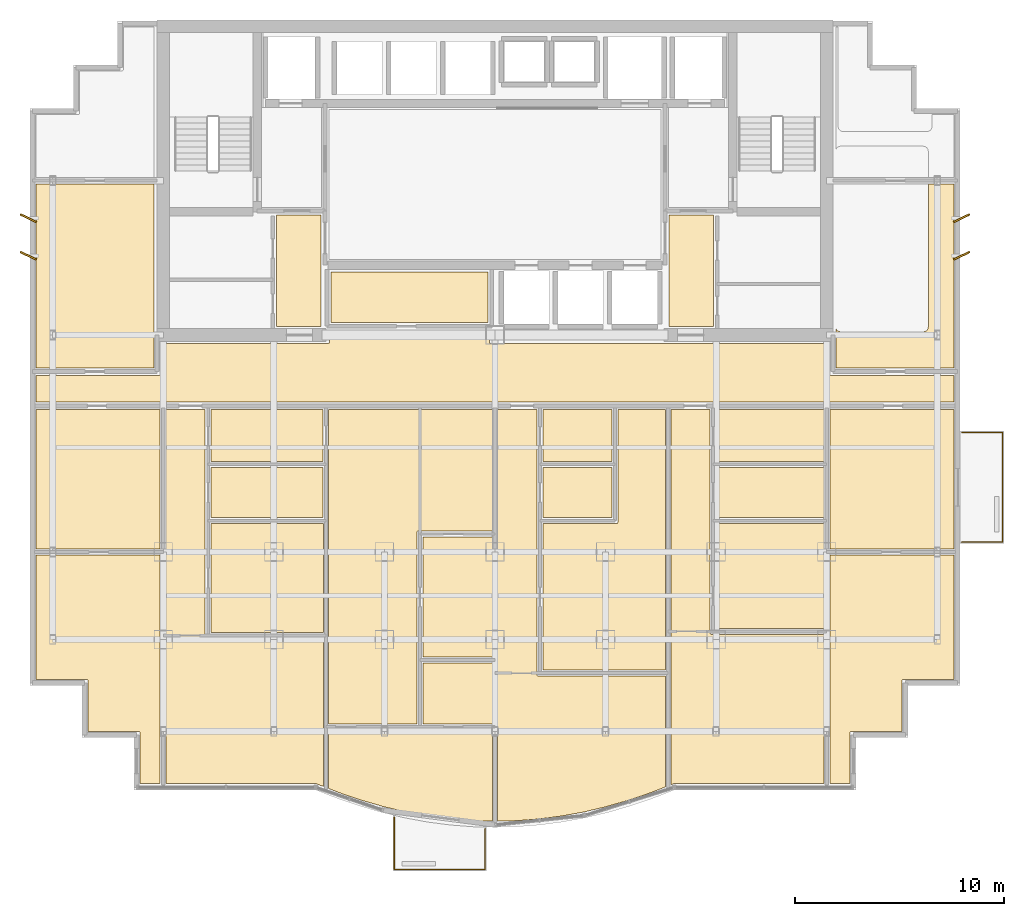
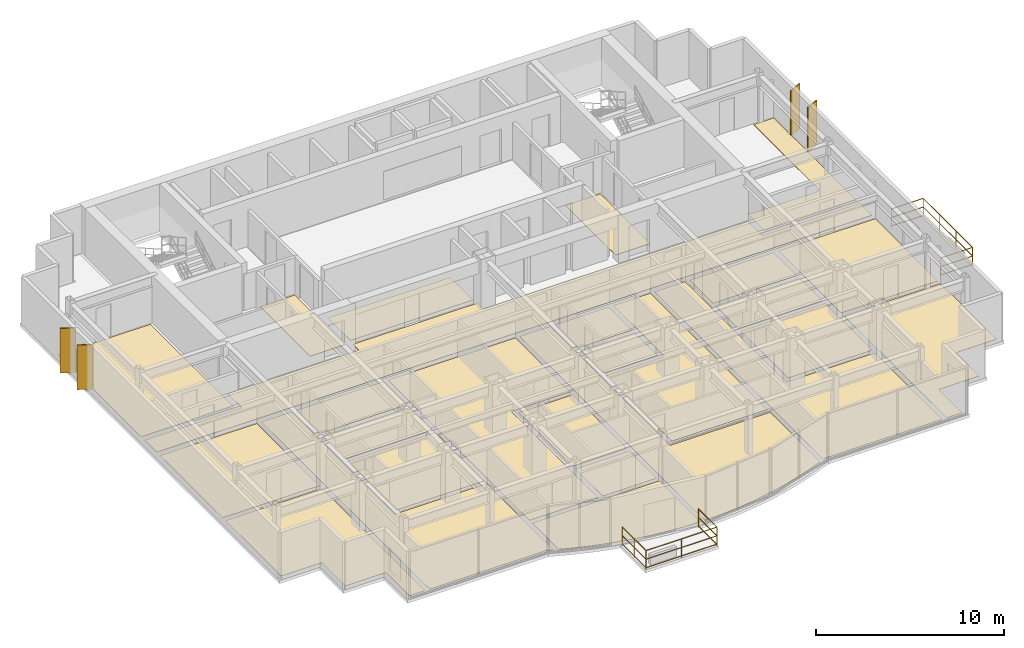
# One storey, part 10 of 11: 26 coverings, 4 shading devices, 2 railings.
"""IFC4 building model written with IfcOpenShell, lengths in metres."""

import ifcopenshell
import ifcopenshell.guid

model = None  # the IFC model being written
_history = None  # IfcOwnerHistory: only IFC2X3 demands one
_inside = {}  # id of a spatial element -> (the spatial element, [elements in it])
_under = {}  # id of a project, library or spatial element -> (it, [spatial elements below it])
_declared = {}  # id of a project -> (the project, [libraries it declares])
_typed = {}  # id of a type object -> (the type object, [elements of that type])
_made_of = {}  # id of a material, layer set ... -> (it, [elements and type objects made of it])


def new_model(schema):
    """Start an empty IFC model of exactly this schema.

    Asked for "IFC4X3", IfcOpenShell would pick the latest addendum, in which some entities
    have other attributes; the version numbers below select the first issue.
    IFC2X3 requires an IfcOwnerHistory on every rooted entity: one is made here for all.
    """
    global model, _history
    if schema == "IFC4X3":
        model = ifcopenshell.file(schema_version=(4, 3, 0, 0))
    else:
        model = ifcopenshell.file(schema=schema)
    _inside.clear()
    _under.clear()
    _declared.clear()
    _typed.clear()
    _made_of.clear()
    _history = None
    if model.schema == "IFC2X3":
        org = make("IfcOrganization", Name="unknown")
        user = make(
            "IfcPersonAndOrganization",
            ThePerson=make("IfcPerson", FamilyName="unknown"),
            TheOrganization=org,
        )
        app = make(
            "IfcApplication",
            ApplicationDeveloper=org,
            Version="unknown",
            ApplicationFullName="unknown",
            ApplicationIdentifier="unknown",
        )
        _history = make(
            "IfcOwnerHistory",
            OwningUser=user,
            OwningApplication=app,
            ChangeAction="ADDED",
            CreationDate=0,
        )
    return model


def make(cls, **values):
    """One entity of the class cls with the attributes given. An attribute that is None is left unset."""
    return model.create_entity(
        cls, **{name: value for name, value in values.items() if value is not None}
    )


def rooted(cls, **values):
    """An entity with a GlobalId (a new one), such as an element, a storey or a relation."""
    return make(cls, GlobalId=ifcopenshell.guid.new(), OwnerHistory=_history, **values)


def si_unit(unit_type, name, prefix=None):
    """IfcSIUnit, for example si_unit("LENGTHUNIT", "METRE", prefix="MILLI")."""
    return make("IfcSIUnit", UnitType=unit_type, Prefix=prefix, Name=name)


def assignment(units):
    """IfcUnitAssignment: the units of a project."""
    return None if units is None else make("IfcUnitAssignment", Units=units)


def point(xyz):
    """IfcCartesianPoint."""
    return None if xyz is None else make("IfcCartesianPoint", Coordinates=xyz)


def direction(xyz):
    """IfcDirection."""
    return None if xyz is None else make("IfcDirection", DirectionRatios=xyz)


def frame(location, z_axis=None, x_axis=None):
    """IfcAxis2Placement3D, a coordinate frame: its origin and axes. An axis left out is left unset."""
    return make(
        "IfcAxis2Placement3D",
        Location=point(location),
        Axis=direction(z_axis),
        RefDirection=direction(x_axis),
    )


def frame_2d(location, x_axis=None):
    """IfcAxis2Placement2D, a coordinate frame in the plane: its origin and x axis."""
    return make(
        "IfcAxis2Placement2D", Location=point(location), RefDirection=direction(x_axis)
    )


def origin():
    """The frame at (0, 0, 0) with its axes left unset."""
    return frame((0.0, 0.0, 0.0))


def origin_2d():
    """The frame at (0, 0) in the plane with its x axis left unset."""
    return frame_2d((0.0, 0.0))


def place(relative_to, where):
    """IfcLocalPlacement: puts the frame where relative to a parent placement (None: the world)."""
    return make(
        "IfcLocalPlacement", PlacementRelTo=relative_to, RelativePlacement=where
    )


def context(
    kind, dimensions, precision=None, world=None, true_north=None, identifier=None
):
    """IfcGeometricRepresentationContext, for example the 3D "Model" context."""
    return make(
        "IfcGeometricRepresentationContext",
        ContextIdentifier=identifier,
        ContextType=kind,
        CoordinateSpaceDimension=dimensions,
        Precision=precision,
        WorldCoordinateSystem=world,
        TrueNorth=true_north,
    )


def subcontext(parent, identifier, kind, view, scale=None):
    """IfcGeometricRepresentationSubContext, for example "Body" below "Model"."""
    return make(
        "IfcGeometricRepresentationSubContext",
        ContextIdentifier=identifier,
        ContextType=kind,
        ParentContext=parent,
        TargetScale=scale,
        TargetView=view,
    )


def project(units=None, contexts=None):
    """IfcProject with its units and contexts."""
    return rooted(
        "IfcProject",
        Name="project",
        RepresentationContexts=contexts,
        UnitsInContext=assignment(units),
    )


def spatial(cls, under=None, at=None, **own):
    """A site, building, storey or space (cls), placed at a placement, below another one or the project."""
    s = rooted(cls, ObjectPlacement=at, **own)
    if under is not None:
        _under.setdefault(under.id(), (under, []))[1].append(s)
    return s


def polyline(points):
    """IfcPolyline through the points."""
    return make("IfcPolyline", Points=[point(p) for p in points])


def profile(cls, at=None, kind="AREA", **sizes):
    """A parametric profile (cls). Its sizes go by their IFC names, for example OverallWidth=200.0."""
    return make(cls, ProfileType=kind, Position=at, **sizes)


def rectangle(**sizes):
    """IfcRectangleProfileDef."""
    return profile("IfcRectangleProfileDef", **sizes)


def circle(**sizes):
    """IfcCircleProfileDef."""
    return profile("IfcCircleProfileDef", **sizes)


def outline(outer, holes=None, kind="AREA"):
    """IfcArbitraryClosedProfileDef: a profile drawn as a closed curve; with holes, ...WithVoids."""
    if holes is None:
        return make("IfcArbitraryClosedProfileDef", ProfileType=kind, OuterCurve=outer)
    return make(
        "IfcArbitraryProfileDefWithVoids",
        ProfileType=kind,
        OuterCurve=outer,
        InnerCurves=holes,
    )


def extrude(swept, where, along, depth):
    """IfcExtrudedAreaSolid: the profile swept, set in the frame where, extruded along a direction by depth."""
    return make(
        "IfcExtrudedAreaSolid",
        SweptArea=swept,
        Position=where,
        ExtrudedDirection=direction(along),
        Depth=depth,
    )


def shape(context_of_items, identifier, shape_type, items):
    """IfcShapeRepresentation: the items that make up one representation, for example the "Body"."""
    return make(
        "IfcShapeRepresentation",
        ContextOfItems=context_of_items,
        RepresentationIdentifier=identifier,
        RepresentationType=shape_type,
        Items=items,
    )


def source(mapping_origin, context_of_items, identifier, shape_type, items):
    """IfcRepresentationMap: a shape defined once, which mapped items show again and again."""
    return make(
        "IfcRepresentationMap",
        MappingOrigin=mapping_origin,
        MappedRepresentation=shape(context_of_items, identifier, shape_type, items),
    )


def transform(
    local_origin,
    x_axis=None,
    y_axis=None,
    z_axis=None,
    scale=None,
    scale2=None,
    scale3=None,
    uniform=True,
):
    """IfcCartesianTransformationOperator3D, or its non-uniform kind. x_axis, y_axis, z_axis: its Axis1, 2, 3."""
    if uniform:
        return make(
            "IfcCartesianTransformationOperator3D",
            Axis1=direction(x_axis),
            Axis2=direction(y_axis),
            LocalOrigin=point(local_origin),
            Scale=scale,
            Axis3=direction(z_axis),
        )
    return make(
        "IfcCartesianTransformationOperator3DnonUniform",
        Axis1=direction(x_axis),
        Axis2=direction(y_axis),
        LocalOrigin=point(local_origin),
        Scale=scale,
        Axis3=direction(z_axis),
        Scale2=scale2,
        Scale3=scale3,
    )


def mapped(mapping_source, mapping_target):
    """IfcMappedItem: shows the shape of a source again, moved by a transform."""
    return make(
        "IfcMappedItem", MappingSource=mapping_source, MappingTarget=mapping_target
    )


def material(Name=None, Category=None):
    """IfcMaterial."""
    return make("IfcMaterial", Name=Name, Category=Category)


def layer(
    of_material, thickness, ventilated=None, Name=None, Category=None, Priority=None
):
    """IfcMaterialLayer: one layer of a wall or slab, of a material (None: an air gap)."""
    return make(
        "IfcMaterialLayer",
        Material=of_material,
        LayerThickness=thickness,
        IsVentilated=ventilated,
        Name=Name,
        Category=Category,
        Priority=Priority,
    )


def layer_set(layers, Name=None):
    """IfcMaterialLayerSet."""
    return make("IfcMaterialLayerSet", MaterialLayers=layers, LayerSetName=Name)


def made_of(thing, what):
    """Note that an element or type object is made of a material, layer set ...; save() writes the relation."""
    if what is not None:
        _made_of.setdefault(what.id(), (what, []))[1].append(thing)
    return thing


def type_object(cls, material=None, **own):
    """A type object (cls), such as IfcWallType, which elements share."""
    return made_of(rooted(cls, **own), material)


def element(
    cls,
    number,
    at=None,
    inside=None,
    cuts=None,
    type_object=None,
    material=None,
    context=None,
    identifier="Body",
    shape_type=None,
    held_by="IfcProductDefinitionShape",
    body=None,
    shapes=None,
    **own,
):
    """One element of the class cls, such as IfcWall. Its Tag is "e" and its number.

    at: its placement. inside: the storey or other place that contains it. cuts: it is an
    opening in that element (IfcRelVoidsElement). A single representation is given by context,
    identifier, shape_type and body (its items); several are given by shapes. held_by: the class
    of the entity that holds the representations. save() writes the other relations.
    """
    e = rooted(cls, Tag="e%d" % number, ObjectPlacement=at, **own)
    if body is not None:
        shapes = [shape(context, identifier, shape_type, body)]
    if shapes is not None:
        e.Representation = make(held_by, Representations=shapes)
    if inside is not None:
        _inside.setdefault(inside.id(), (inside, []))[1].append(e)
    if cuts is not None:
        rooted(
            "IfcRelVoidsElement", RelatingBuildingElement=cuts, RelatedOpeningElement=e
        )
    if type_object is not None:
        _typed.setdefault(type_object.id(), (type_object, []))[1].append(e)
    return made_of(e, material)


def aggregate(whole, parts):
    """IfcRelAggregates: a whole, such as a stair, and the parts it consists of."""
    return rooted("IfcRelAggregates", RelatingObject=whole, RelatedObjects=parts)


def save(model, path):
    """Write the relations noted so far, then the file.

    IfcRelAggregates (storeys below a building ...), IfcRelContainedInSpatialStructure (elements
    in a storey), IfcRelDefinesByType, IfcRelAssociatesMaterial and IfcRelDeclares: one each for
    every whole, place, type object, material and project.
    """
    for whole, parts in _under.values():
        aggregate(whole, parts)
    for where, things in _inside.values():
        rooted(
            "IfcRelContainedInSpatialStructure",
            RelatedElements=things,
            RelatingStructure=where,
        )
    for kind, things in _typed.values():
        rooted("IfcRelDefinesByType", RelatedObjects=things, RelatingType=kind)
    for what, things in _made_of.values():
        rooted("IfcRelAssociatesMaterial", RelatedObjects=things, RelatingMaterial=what)
    for by, libraries in _declared.values():
        rooted("IfcRelDeclares", RelatingContext=by, RelatedDefinitions=libraries)
    model.write(path)


model = new_model("IFC4")

# Units and contexts
model_context = context("Model", 3, precision=1e-05, world=origin(), true_north=direction((0.0, 1.0)))
body_context = subcontext(model_context, "Body", "Model", "MODEL_VIEW")
ifc_project = project(units=[si_unit("LENGTHUNIT", "METRE"), si_unit("AREAUNIT", "SQUARE_METRE"), si_unit("VOLUMEUNIT", "CUBIC_METRE"), si_unit("PLANEANGLEUNIT", "RADIAN"), si_unit("MASSUNIT", "GRAM", prefix="KILO")], contexts=[model_context])

# Site, building, storey
site_placement = place(None, origin())
site = spatial("IfcSite", under=ifc_project, at=site_placement, CompositionType="ELEMENT")
building_placement = place(site_placement, origin())
building = spatial("IfcBuilding", under=site, at=building_placement, Name="Qianlan Lanfeng Residences", CompositionType="ELEMENT")
storey_placement = place(building_placement, frame((0.0, 0.0, 149.10009765625)))
storey = spatial("IfcBuildingStorey", under=building, at=storey_placement, Name="L40", CompositionType="ELEMENT", Elevation=149.10009765625)

# Coverings
ifc_material_1 = material(Name="Honed Taitung Granite Stone Flooring", Category="masonry")
ifc_layer_1 = layer(ifc_material_1, 0.030029296875)
ifc_layer_set_1 = layer_set([ifc_layer_1], Name="Honed Taitung Granite Stone Flooring")
covering_type_1 = type_object("IfcCoveringType", Name="FLR-STN-30", PredefinedType="FLOORING", material=ifc_layer_set_1)
covering_1_placement = place(storey_placement, origin())
element("IfcCovering", 1, at=covering_1_placement, inside=storey, type_object=covering_type_1, Name="L40 Residential Corridor Floor Finish", PredefinedType="FLOORING", context=body_context, shape_type="SweptSolid", body=[
    extrude(outline(polyline([(4.489990234375, 21.97998046875), (48.510009765625, 21.97998046875), (48.510009765625, 23.27001953125), (42.590087890625, 23.27001953125), (42.5830078125, 23.27001953125), (42.575927734375, 23.27099609375), (42.570068359375, 23.27294921875), (42.56298828125, 23.27490234375), (42.556884765625, 23.278076171875), (42.551025390625, 23.281982421875), (42.5458984375, 23.285888671875), (42.541015625, 23.291015625), (42.535888671875, 23.2958984375), (42.531982421875, 23.301025390625), (42.528076171875, 23.306884765625), (42.52490234375, 23.31298828125), (42.52294921875, 23.320068359375), (42.52099609375, 23.325927734375), (42.52001953125, 23.3330078125), (42.52001953125, 23.340087890625), (42.52001953125, 24.800048828125), (26.300048828125, 24.800048828125), (26.29296875, 24.800048828125), (26.285888671875, 24.801025390625), (26.280029296875, 24.802978515625), (26.27294921875, 24.804931640625), (26.26708984375, 24.80810546875), (26.260986328125, 24.81201171875), (26.256103515625, 24.81591796875), (26.2509765625, 24.821044921875), (26.24609375, 24.825927734375), (26.241943359375, 24.8310546875), (26.238037109375, 24.8369140625), (26.235107421875, 24.843017578125), (26.23291015625, 24.85009765625), (26.23095703125, 24.85595703125), (26.22998046875, 24.863037109375), (26.22998046875, 24.8701171875), (26.22998046875, 25.429931640625), (18.570068359375, 25.429931640625), (18.570068359375, 24.8701171875), (18.570068359375, 24.863037109375), (18.569091796875, 24.85595703125), (18.56689453125, 24.85009765625), (18.56494140625, 24.843017578125), (18.56201171875, 24.8369140625), (18.55810546875, 24.8310546875), (18.553955078125, 24.825927734375), (18.549072265625, 24.821044921875), (18.5439453125, 24.81591796875), (18.5390625, 24.81201171875), (18.532958984375, 24.80810546875), (18.527099609375, 24.804931640625), (18.52001953125, 24.802978515625), (18.513916015625, 24.801025390625), (18.507080078125, 24.800048828125), (18.5, 24.800048828125), (10.47998046875, 24.800048828125), (10.47998046875, 23.340087890625), (10.47998046875, 23.3330078125), (10.47900390625, 23.325927734375), (10.47705078125, 23.320068359375), (10.47509765625, 23.31298828125), (10.471923828125, 23.306884765625), (10.468017578125, 23.301025390625), (10.464111328125, 23.2958984375), (10.458984375, 23.291015625), (10.4541015625, 23.285888671875), (10.448974609375, 23.281982421875), (10.443115234375, 23.278076171875), (10.43701171875, 23.27490234375), (10.429931640625, 23.27294921875), (10.424072265625, 23.27099609375), (10.4169921875, 23.27001953125), (10.409912109375, 23.27001953125), (4.489990234375, 23.27001953125), (4.489990234375, 21.97998046875)])), origin(), (0.0, 0.0, 1.0), 0.02978515625),
])
covering_2_placement = place(storey_placement, origin())
element("IfcCovering", 2, at=covering_2_placement, inside=storey, type_object=covering_type_1, Name="L40 Lift Lobby Floor Finish", PredefinedType="FLOORING", context=body_context, shape_type="SweptSolid", body=[
    extrude(outline(polyline([(16.030029296875, 25.610107421875), (18.169921875, 25.610107421875), (18.169921875, 30.949951171875), (16.030029296875, 30.949951171875), (16.030029296875, 25.610107421875)])), origin(), (0.0, 0.0, 1.0), 0.02978515625),
])
covering_3_placement = place(storey_placement, origin())
element("IfcCovering", 3, at=covering_3_placement, inside=storey, type_object=covering_type_1, Name="L40 Lift Lobby Floor Finish", PredefinedType="FLOORING", context=body_context, shape_type="SweptSolid", body=[
    extrude(outline(polyline([(34.830078125, 25.610107421875), (36.969970703125, 25.610107421875), (36.969970703125, 30.949951171875), (34.830078125, 30.949951171875), (34.830078125, 25.610107421875)])), origin(), (0.0, 0.0, 1.0), 0.02978515625),
])
ifc_material_2 = material(Name="Slip-Resistant Porcelain Tile Flooring")
ifc_layer_2 = layer(ifc_material_2, 0.02001953125)
ifc_layer_set_2 = layer_set([ifc_layer_2], Name="Slip-Resistant Porcelain Tile Flooring")
covering_type_2 = type_object("IfcCoveringType", Name="FLR-TIL-20", PredefinedType="FLOORING", material=ifc_layer_set_2)
covering_4_placement = place(storey_placement, origin())
element("IfcCovering", 4, at=covering_4_placement, inside=storey, type_object=covering_type_2, Name="L40 Kitchen Floor Finish", PredefinedType="FLOORING", context=body_context, shape_type="SweptSolid", body=[
    extrude(outline(polyline([(12.889892578125, 16.43994140625), (18.260009765625, 16.43994140625), (18.260009765625, 18.860107421875), (12.889892578125, 18.860107421875), (12.889892578125, 16.43994140625)])), origin(), (0.0, 0.0, 1.0), 0.02001953125),
])
covering_5_placement = place(storey_placement, origin())
element("IfcCovering", 5, at=covering_5_placement, inside=storey, type_object=covering_type_2, Name="L40 Bathroom Floor Finish", PredefinedType="FLOORING", context=body_context, shape_type="SweptSolid", body=[
    extrude(outline(polyline([(12.889892578125, 19.139892578125), (18.260009765625, 19.139892578125), (18.260009765625, 21.6298828125), (12.889892578125, 21.6298828125), (12.889892578125, 19.139892578125)])), origin(), (0.0, 0.0, 1.0), 0.02001953125),
])
covering_6_placement = place(storey_placement, origin())
element("IfcCovering", 6, at=covering_6_placement, inside=storey, type_object=covering_type_2, Name="L40 En-Suite Bathroom Floor Finish", PredefinedType="FLOORING", context=body_context, shape_type="SweptSolid", body=[
    extrude(outline(polyline([(23.0400390625, 6.56396484375), (26.3701171875, 6.56396484375), (26.3701171875, 9.48388671875), (23.0400390625, 9.48388671875), (23.0400390625, 6.56396484375)])), origin(), (0.0, 0.0, 1.0), 0.02001953125),
])
covering_7_placement = place(storey_placement, origin())
element("IfcCovering", 7, at=covering_7_placement, inside=storey, type_object=covering_type_2, Name="L40 Kitchen Floor Finish", PredefinedType="FLOORING", context=body_context, shape_type="SweptSolid", body=[
    extrude(outline(polyline([(28.7900390625, 16.43994140625), (32.110107421875, 16.43994140625), (32.110107421875, 18.860107421875), (28.7900390625, 18.860107421875), (28.7900390625, 16.43994140625)])), origin(), (0.0, 0.0, 1.0), 0.02001953125),
])
covering_8_placement = place(storey_placement, origin())
element("IfcCovering", 8, at=covering_8_placement, inside=storey, type_object=covering_type_2, Name="L40 Bathroom Floor Finish", PredefinedType="FLOORING", context=body_context, shape_type="SweptSolid", body=[
    extrude(outline(polyline([(28.7900390625, 19.139892578125), (32.110107421875, 19.139892578125), (32.110107421875, 21.6298828125), (28.7900390625, 21.6298828125), (28.7900390625, 19.139892578125)])), origin(), (0.0, 0.0, 1.0), 0.02001953125),
])
covering_9_placement = place(storey_placement, origin())
element("IfcCovering", 9, at=covering_9_placement, inside=storey, type_object=covering_type_2, Name="L40 Kitchen Floor Finish", PredefinedType="FLOORING", context=body_context, shape_type="SweptSolid", body=[
    extrude(outline(polyline([(37.090087890625, 16.43994140625), (42.260009765625, 16.43994140625), (42.260009765625, 18.860107421875), (37.090087890625, 18.860107421875), (37.090087890625, 16.43994140625)])), origin(), (0.0, 0.0, 1.0), 0.02001953125),
])
covering_10_placement = place(storey_placement, origin())
element("IfcCovering", 10, at=covering_10_placement, inside=storey, type_object=covering_type_2, Name="L40 Bathroom Floor Finish", PredefinedType="FLOORING", context=body_context, shape_type="SweptSolid", body=[
    extrude(outline(polyline([(37.090087890625, 19.139892578125), (42.260009765625, 19.139892578125), (42.260009765625, 21.6298828125), (37.090087890625, 21.6298828125), (37.090087890625, 19.139892578125)])), origin(), (0.0, 0.0, 1.0), 0.02001953125),
])
ifc_material_3 = material(Name="Engineered Smoked Oak Timber Flooring", Category="wood")
ifc_layer_3 = layer(ifc_material_3, 0.02197265625)
ifc_layer_set_3 = layer_set([ifc_layer_3], Name="Engineered Smoked Oak Timber Flooring")
covering_type_3 = type_object("IfcCoveringType", Name="FLR-TIM-22", PredefinedType="FLOORING", material=ifc_layer_set_3)
covering_11_placement = place(storey_placement, origin())
element("IfcCovering", 11, at=covering_11_placement, inside=storey, type_object=covering_type_3, Name="L40 Resident Study Salon Floor Finish", PredefinedType="FLOORING", context=body_context, shape_type="SweptSolid", body=[
    extrude(outline(polyline([(18.6298828125, 25.800048828125), (26.169921875, 25.800048828125), (26.169921875, 28.22998046875), (18.6298828125, 28.22998046875), (18.6298828125, 25.800048828125)])), origin(), (0.0, 0.0, 1.0), 0.02197265625),
])
covering_12_placement = place(storey_placement, origin())
element("IfcCovering", 12, at=covering_12_placement, inside=storey, type_object=covering_type_3, Name="L40 Living and Dining Room Floor Finish", PredefinedType="FLOORING", context=body_context, shape_type="SweptSolid", body=[
    extrude(outline(polyline([(18.27001953125, 3.55908203125), (18.27001953125, 10.658935546875), (12.679931640625, 10.658935546875), (12.673095703125, 10.658935546875), (12.666015625, 10.659912109375), (12.659912109375, 10.662109375), (12.653076171875, 10.6640625), (12.64697265625, 10.6669921875), (12.64111328125, 10.6708984375), (12.635986328125, 10.675048828125), (12.631103515625, 10.679931640625), (12.6259765625, 10.68505859375), (12.6220703125, 10.68994140625), (12.617919921875, 10.696044921875), (12.614990234375, 10.701904296875), (12.613037109375, 10.708984375), (12.611083984375, 10.715087890625), (12.610107421875, 10.721923828125), (12.610107421875, 10.72900390625), (12.610107421875, 21.6298828125), (10.72998046875, 21.6298828125), (10.72998046875, 3.68994140625), (17.922119140625, 3.68994140625), (17.927978515625, 3.68994140625), (17.93505859375, 3.68896484375), (17.94091796875, 3.68701171875), (17.947021484375, 3.68505859375), (18.27001953125, 3.55908203125)])), origin(), (0.0, 0.0, 1.0), 0.02197265625),
])
covering_13_placement = place(storey_placement, origin())
element("IfcCovering", 13, at=covering_13_placement, inside=storey, type_object=covering_type_3, Name="L40 Villa Family Sitting Room Floor Finish", PredefinedType="FLOORING", context=body_context, shape_type="SweptSolid", body=[
    extrude(outline(polyline([(12.889892578125, 16.159912109375), (12.889892578125, 10.93896484375), (18.27001953125, 10.93896484375), (18.27001953125, 16.159912109375), (12.889892578125, 16.159912109375)])), origin(), (0.0, 0.0, 1.0), 0.02197265625),
])
covering_14_placement = place(storey_placement, origin())
element("IfcCovering", 14, at=covering_14_placement, inside=storey, type_object=covering_type_3, Name="L40 Private Study Floor Finish", PredefinedType="FLOORING", context=body_context, shape_type="SweptSolid", body=[
    extrude(outline(polyline([(23.0400390625, 9.763916015625), (26.3701171875, 9.763916015625), (26.3701171875, 15.52197265625), (23.0400390625, 15.52197265625), (23.0400390625, 9.763916015625)])), origin(), (0.0, 0.0, 1.0), 0.02197265625),
])
covering_15_placement = place(storey_placement, origin())
element("IfcCovering", 15, at=covering_15_placement, inside=storey, type_object=covering_type_3, Name="L40 Villa Family Sitting Room Floor Finish", PredefinedType="FLOORING", context=body_context, shape_type="SweptSolid", body=[
    extrude(outline(polyline([(18.530029296875, 6.56396484375), (22.760009765625, 6.56396484375), (22.760009765625, 15.73193359375), (22.760009765625, 15.739013671875), (22.760986328125, 15.74609375), (22.762939453125, 15.751953125), (22.764892578125, 15.759033203125), (22.76806640625, 15.764892578125), (22.77197265625, 15.77099609375), (22.77587890625, 15.77587890625), (22.781005859375, 15.781005859375), (22.785888671875, 15.785888671875), (22.791015625, 15.7900390625), (22.797119140625, 15.7939453125), (22.802978515625, 15.797119140625), (22.81005859375, 15.799072265625), (22.81591796875, 15.801025390625), (22.822998046875, 15.802001953125), (22.830078125, 15.802001953125), (26.3701171875, 15.802001953125), (26.3701171875, 21.6298828125), (18.530029296875, 21.6298828125), (18.530029296875, 6.56396484375)])), origin(), (0.0, 0.0, 1.0), 0.02197265625),
])
covering_16_placement = place(storey_placement, origin())
element("IfcCovering", 16, at=covering_16_placement, inside=storey, type_object=covering_type_3, Name="L40 Master Bedroom Floor Finish", PredefinedType="FLOORING", context=body_context, shape_type="SweptSolid", body=[
    extrude(outline(polyline([(18.530029296875, 6.283935546875), (18.530029296875, 3.45703125), (19.056884765625, 3.25), (20.1220703125, 2.888916015625), (21.18505859375, 2.583984375), (22.2490234375, 2.333984375), (23.31201171875, 2.139892578125), (24.375, 2.001953125), (25.43701171875, 1.91796875), (26.3701171875, 1.89306640625), (26.3701171875, 6.283935546875), (18.530029296875, 6.283935546875)])), origin(), (0.0, 0.0, 1.0), 0.02197265625),
])
covering_17_placement = place(storey_placement, origin())
element("IfcCovering", 17, at=covering_17_placement, inside=storey, type_object=covering_type_3, Name="L40 Studio Living Room Floor Finish", PredefinedType="FLOORING", context=body_context, shape_type="SweptSolid", body=[
    extrude(outline(polyline([(34.669921875, 3.534912109375), (34.669921875, 8.85107421875), (28.580078125, 8.85107421875), (28.572998046875, 8.85107421875), (28.56591796875, 8.85205078125), (28.56005859375, 8.85400390625), (28.552978515625, 8.85595703125), (28.547119140625, 8.85888671875), (28.541015625, 8.863037109375), (28.535888671875, 8.866943359375), (28.531005859375, 8.8720703125), (28.52587890625, 8.876953125), (28.52197265625, 8.882080078125), (28.51806640625, 8.887939453125), (28.514892578125, 8.89404296875), (28.512939453125, 8.90087890625), (28.510986328125, 8.906982421875), (28.510009765625, 8.9140625), (28.510009765625, 8.9208984375), (28.510009765625, 21.6298828125), (26.6298828125, 21.6298828125), (26.6298828125, 1.89306640625), (27.56298828125, 1.91796875), (28.625, 2.0009765625), (29.68701171875, 2.139892578125), (30.7509765625, 2.333984375), (31.81396484375, 2.583984375), (32.8779296875, 2.888916015625), (33.94189453125, 3.25), (34.669921875, 3.534912109375)])), origin(), (0.0, 0.0, 1.0), 0.02197265625),
])
covering_18_placement = place(storey_placement, origin())
element("IfcCovering", 18, at=covering_18_placement, inside=storey, type_object=covering_type_3, Name="L40 Villa Family Sitting Room Floor Finish", PredefinedType="FLOORING", context=body_context, shape_type="SweptSolid", body=[
    extrude(outline(polyline([(28.7900390625, 9.131103515625), (34.669921875, 9.131103515625), (34.669921875, 21.6298828125), (32.389892578125, 21.6298828125), (32.389892578125, 16.22998046875), (32.389892578125, 16.222900390625), (32.388916015625, 16.216064453125), (32.386962890625, 16.2099609375), (32.385009765625, 16.202880859375), (32.382080078125, 16.197021484375), (32.3779296875, 16.19091796875), (32.3740234375, 16.18603515625), (32.368896484375, 16.180908203125), (32.364013671875, 16.176025390625), (32.35888671875, 16.172119140625), (32.35302734375, 16.16796875), (32.346923828125, 16.1650390625), (32.340087890625, 16.1630859375), (32.333984375, 16.160888671875), (32.326904296875, 16.159912109375), (32.320068359375, 16.159912109375), (28.7900390625, 16.159912109375), (28.7900390625, 9.131103515625)])), origin(), (0.0, 0.0, 1.0), 0.02197265625),
])
covering_19_placement = place(storey_placement, origin())
element("IfcCovering", 19, at=covering_19_placement, inside=storey, type_object=covering_type_3, Name="L40 Studio Living Room Floor Finish", PredefinedType="FLOORING", context=body_context, shape_type="SweptSolid", body=[
    extrude(outline(polyline([(42.27001953125, 3.68994140625), (42.27001953125, 10.847900390625), (36.8798828125, 10.847900390625), (36.873046875, 10.847900390625), (36.865966796875, 10.84912109375), (36.860107421875, 10.85107421875), (36.85302734375, 10.85302734375), (36.846923828125, 10.85595703125), (36.841064453125, 10.860107421875), (36.8359375, 10.864013671875), (36.8310546875, 10.868896484375), (36.825927734375, 10.8740234375), (36.822021484375, 10.87890625), (36.818115234375, 10.885009765625), (36.81494140625, 10.89111328125), (36.81298828125, 10.89794921875), (36.81103515625, 10.904052734375), (36.81005859375, 10.910888671875), (36.81005859375, 10.91796875), (36.81005859375, 21.6298828125), (34.929931640625, 21.6298828125), (34.929931640625, 3.636962890625), (35.052978515625, 3.68505859375), (35.05908203125, 3.68701171875), (35.06494140625, 3.68896484375), (35.072021484375, 3.68994140625), (35.077880859375, 3.68994140625), (42.27001953125, 3.68994140625)])), origin(), (0.0, 0.0, 1.0), 0.02197265625),
])
covering_20_placement = place(storey_placement, origin())
element("IfcCovering", 20, at=covering_20_placement, inside=storey, type_object=covering_type_3, Name="L40 Villa Family Sitting Room Floor Finish", PredefinedType="FLOORING", context=body_context, shape_type="SweptSolid", body=[
    extrude(outline(polyline([(37.090087890625, 16.159912109375), (37.090087890625, 11.1279296875), (42.27001953125, 11.1279296875), (42.27001953125, 16.159912109375), (37.090087890625, 16.159912109375)])), origin(), (0.0, 0.0, 1.0), 0.02197265625),
])
covering_21_placement = place(storey_placement, origin())
element("IfcCovering", 21, at=covering_21_placement, inside=storey, type_object=covering_type_3, Name="L40 Sunroom Floor Finish", PredefinedType="FLOORING", context=body_context, shape_type="SweptSolid", body=[
    extrude(outline(polyline([(10.43994140625, 14.64990234375), (4.489990234375, 14.64990234375), (4.489990234375, 8.68994140625), (6.919921875, 8.68994140625), (6.927001953125, 8.68994140625), (6.93408203125, 8.68896484375), (6.93994140625, 8.68701171875), (6.947021484375, 8.68505859375), (6.952880859375, 8.681884765625), (6.958984375, 8.677978515625), (6.964111328125, 8.674072265625), (6.968994140625, 8.6689453125), (6.97412109375, 8.6640625), (6.97802734375, 8.658935546875), (6.98193359375, 8.653076171875), (6.985107421875, 8.64697265625), (6.987060546875, 8.639892578125), (6.989013671875, 8.634033203125), (6.989990234375, 8.626953125), (6.989990234375, 8.6201171875), (6.989990234375, 6.18994140625), (9.419921875, 6.18994140625), (9.427001953125, 6.18994140625), (9.43408203125, 6.18896484375), (9.43994140625, 6.18701171875), (9.447021484375, 6.18505859375), (9.452880859375, 6.181884765625), (9.458984375, 6.177978515625), (9.464111328125, 6.174072265625), (9.468994140625, 6.1689453125), (9.47412109375, 6.1640625), (9.47802734375, 6.158935546875), (9.48193359375, 6.153076171875), (9.485107421875, 6.14697265625), (9.487060546875, 6.139892578125), (9.489013671875, 6.134033203125), (9.489990234375, 6.126953125), (9.489990234375, 6.1201171875), (9.489990234375, 3.68994140625), (10.43994140625, 3.68994140625), (10.43994140625, 14.64990234375)])), origin(), (0.0, 0.0, 1.0), 0.02197265625),
])
covering_22_placement = place(storey_placement, origin())
element("IfcCovering", 22, at=covering_22_placement, inside=storey, type_object=covering_type_3, Name="L40 Family Sitting Room Floor Finish", PredefinedType="FLOORING", context=body_context, shape_type="SweptSolid", body=[
    extrude(outline(polyline([(10.43994140625, 21.6298828125), (4.489990234375, 21.6298828125), (4.489990234375, 14.949951171875), (10.43994140625, 14.949951171875), (10.43994140625, 21.6298828125)])), origin(), (0.0, 0.0, 1.0), 0.02197265625),
])
covering_23_placement = place(storey_placement, origin())
element("IfcCovering", 23, at=covering_23_placement, inside=storey, type_object=covering_type_3, Name="L40 Sunroom Floor Finish", PredefinedType="FLOORING", context=body_context, shape_type="SweptSolid", body=[
    extrude(outline(polyline([(48.510009765625, 14.64990234375), (42.56005859375, 14.64990234375), (42.56005859375, 3.68994140625), (43.510009765625, 3.68994140625), (43.510009765625, 6.1201171875), (43.510009765625, 6.126953125), (43.510986328125, 6.134033203125), (43.512939453125, 6.139892578125), (43.514892578125, 6.14697265625), (43.51806640625, 6.153076171875), (43.52197265625, 6.158935546875), (43.52587890625, 6.1640625), (43.531005859375, 6.1689453125), (43.535888671875, 6.174072265625), (43.541015625, 6.177978515625), (43.547119140625, 6.181884765625), (43.552978515625, 6.18505859375), (43.56005859375, 6.18701171875), (43.56591796875, 6.18896484375), (43.572998046875, 6.18994140625), (43.580078125, 6.18994140625), (46.010009765625, 6.18994140625), (46.010009765625, 8.6201171875), (46.010009765625, 8.626953125), (46.010986328125, 8.634033203125), (46.012939453125, 8.639892578125), (46.014892578125, 8.64697265625), (46.01806640625, 8.653076171875), (46.02197265625, 8.658935546875), (46.02587890625, 8.6640625), (46.031005859375, 8.6689453125), (46.035888671875, 8.674072265625), (46.041015625, 8.677978515625), (46.047119140625, 8.681884765625), (46.052978515625, 8.68505859375), (46.06005859375, 8.68701171875), (46.06591796875, 8.68896484375), (46.072998046875, 8.68994140625), (46.080078125, 8.68994140625), (48.510009765625, 8.68994140625), (48.510009765625, 14.64990234375)])), origin(), (0.0, 0.0, 1.0), 0.02197265625),
])
covering_24_placement = place(storey_placement, origin())
element("IfcCovering", 24, at=covering_24_placement, inside=storey, type_object=covering_type_3, Name="L40 Private Study Floor Finish", PredefinedType="FLOORING", context=body_context, shape_type="SweptSolid", body=[
    extrude(outline(polyline([(48.510009765625, 21.6298828125), (42.56005859375, 21.6298828125), (42.56005859375, 14.949951171875), (48.510009765625, 14.949951171875), (48.510009765625, 21.6298828125)])), origin(), (0.0, 0.0, 1.0), 0.02197265625),
])
covering_25_placement = place(storey_placement, origin())
element("IfcCovering", 25, at=covering_25_placement, inside=storey, type_object=covering_type_3, Name="L40 Cigar and Tea Room Floor Finish", PredefinedType="FLOORING", context=body_context, shape_type="SweptSolid", body=[
    extrude(outline(polyline([(10.14990234375, 32.449951171875), (4.489990234375, 32.449951171875), (4.489990234375, 23.6298828125), (10.14990234375, 23.6298828125), (10.14990234375, 32.449951171875)])), origin(), (0.0, 0.0, 1.0), 0.02197265625),
])
covering_26_placement = place(storey_placement, origin())
element("IfcCovering", 26, at=covering_26_placement, inside=storey, type_object=covering_type_3, Name="L40 Cigar and Tea Room Floor Finish", PredefinedType="FLOORING", context=body_context, shape_type="SweptSolid", body=[
    extrude(outline(polyline([(48.510009765625, 32.449951171875), (47.27001953125, 32.449951171875), (47.27001953125, 25.60009765625), (47.26904296875, 25.574951171875), (47.264892578125, 25.551025390625), (47.259033203125, 25.527099609375), (47.2509765625, 25.50390625), (47.239990234375, 25.48193359375), (47.22802734375, 25.4609375), (47.212890625, 25.44091796875), (47.197021484375, 25.423095703125), (47.178955078125, 25.406982421875), (47.158935546875, 25.39208984375), (47.137939453125, 25.3798828125), (47.115966796875, 25.368896484375), (47.093017578125, 25.361083984375), (47.069091796875, 25.35498046875), (47.044921875, 25.35107421875), (47.02001953125, 25.35009765625), (43.080078125, 25.35009765625), (43.054931640625, 25.35107421875), (43.031005859375, 25.35498046875), (43.007080078125, 25.361083984375), (42.98388671875, 25.368896484375), (42.9619140625, 25.3798828125), (42.94091796875, 25.39208984375), (42.9208984375, 25.406982421875), (42.903076171875, 25.423095703125), (42.886962890625, 25.44091796875), (42.8720703125, 25.4609375), (42.860107421875, 25.48193359375), (42.85009765625, 25.501953125), (42.85009765625, 23.6298828125), (48.510009765625, 23.6298828125), (48.510009765625, 32.449951171875)])), origin(), (0.0, 0.0, 1.0), 0.02197265625),
])

# Railings
ifc_material_4 = material(Name="Anodised Bronze Aluminium and Laminated Glass Guard Balustrade", Category="aluminium")
railing_type = type_object("IfcRailingType", Name="GR-EXT-1220", PredefinedType="BALUSTRADE", material=ifc_material_4)
railing_1_placement = place(storey_placement, frame((26.030029296875, 1.5419921875, 0.0)))
element("IfcRailing", 27, at=railing_1_placement, inside=storey, type_object=railing_type, Name="L40 Terrace Safety Guard GR-L40-SB-C", PredefinedType="BALUSTRADE", context=body_context, shape_type="SweptSolid", body=[
    extrude(circle(Radius=0.02490234375, at=origin_2d()), frame((0.0, 0.0, 0.0849609375), z_axis=(0.0, -1.0, 0.0), x_axis=(1.0, 0.0, 0.0)), (0.0, 0.0, 1.0), 1.971923828125),
    extrude(circle(Radius=0.02490234375, at=origin_2d()), frame((0.0, 0.0, 0.63427734375), z_axis=(0.0, -1.0, 0.0), x_axis=(1.0, 0.0, 0.0)), (0.0, 0.0, 1.0), 1.971923828125),
    extrude(circle(Radius=0.02490234375, at=origin_2d()), frame((0.0, 0.0, 1.19482421875), z_axis=(0.0, -1.0, 0.0), x_axis=(1.0, 0.0, 0.0)), (0.0, 0.0, 1.0), 1.971923828125),
    extrude(circle(Radius=0.02490234375, at=origin_2d()), frame((0.0, -1.971923828125, 0.0849609375), z_axis=(-1.0, 0.0, 0.0), x_axis=(0.0, -1.0, 0.0)), (0.0, 0.0, 1.0), 4.360107421875),
    extrude(circle(Radius=0.02490234375, at=origin_2d()), frame((0.0, -1.971923828125, 0.63427734375), z_axis=(-1.0, 0.0, 0.0), x_axis=(0.0, -1.0, 0.0)), (0.0, 0.0, 1.0), 4.360107421875),
    extrude(circle(Radius=0.02490234375, at=origin_2d()), frame((0.0, -1.971923828125, 1.19482421875), z_axis=(-1.0, 0.0, 0.0), x_axis=(0.0, -1.0, 0.0)), (0.0, 0.0, 1.0), 4.360107421875),
    extrude(circle(Radius=0.02490234375, at=origin_2d()), frame((-4.360107421875, -1.971923828125, 0.0849609375), z_axis=(0.0, 1.0, 0.0), x_axis=(-1.0, 0.0, 0.0)), (0.0, 0.0, 1.0), 2.530029296875),
    extrude(circle(Radius=0.02490234375, at=origin_2d()), frame((-4.360107421875, -1.971923828125, 0.63427734375), z_axis=(0.0, 1.0, 0.0), x_axis=(-1.0, 0.0, 0.0)), (0.0, 0.0, 1.0), 2.530029296875),
    extrude(circle(Radius=0.02490234375, at=origin_2d()), frame((-4.360107421875, -1.971923828125, 1.19482421875), z_axis=(0.0, 1.0, 0.0), x_axis=(-1.0, 0.0, 0.0)), (0.0, 0.0, 1.0), 2.530029296875),
    extrude(circle(Radius=0.02099609375, at=origin_2d()), origin(), (0.0, 0.0, 1.0), 1.169921875),
    extrude(circle(Radius=0.02099609375, at=origin_2d()), frame((0.0, -1.971923828125, 0.0)), (0.0, 0.0, 1.0), 1.169921875),
    extrude(circle(Radius=0.02099609375, at=origin_2d()), frame((-2.18017578125, -1.971923828125, 0.0)), (0.0, 0.0, 1.0), 1.169921875),
    extrude(circle(Radius=0.02099609375, at=origin_2d()), frame((-4.360107421875, -1.971923828125, 0.0)), (0.0, 0.0, 1.0), 1.169921875),
    extrude(circle(Radius=0.02099609375, at=origin_2d()), frame((-4.360107421875, -0.70703125, 0.0)), (0.0, 0.0, 1.0), 1.169921875),
    extrude(circle(Radius=0.02099609375, at=origin_2d()), frame((-4.360107421875, 0.55810546875, 0.0)), (0.0, 0.0, 1.0), 1.169921875),
])
railing_2_placement = place(storey_placement, frame((48.8701171875, 20.530029296875, 0.0)))
element("IfcRailing", 28, at=railing_2_placement, inside=storey, type_object=railing_type, Name="L40 Terrace Safety Guard GR-L40-EB-S", PredefinedType="BALUSTRADE", context=body_context, shape_type="SweptSolid", body=[
    extrude(circle(Radius=0.02490234375, at=origin_2d()), frame((0.0, 0.0, 0.0849609375), z_axis=(1.0, 0.0, 0.0), x_axis=(0.0, 1.0, 0.0)), (0.0, 0.0, 1.0), 1.9599609375),
    extrude(circle(Radius=0.02490234375, at=origin_2d()), frame((0.0, 0.0, 0.63427734375), z_axis=(1.0, 0.0, 0.0), x_axis=(0.0, 1.0, 0.0)), (0.0, 0.0, 1.0), 1.9599609375),
    extrude(circle(Radius=0.02490234375, at=origin_2d()), frame((0.0, 0.0, 1.19482421875), z_axis=(1.0, 0.0, 0.0), x_axis=(0.0, 1.0, 0.0)), (0.0, 0.0, 1.0), 1.9599609375),
    extrude(circle(Radius=0.02490234375, at=origin_2d()), frame((1.9599609375, 0.0, 0.0849609375), z_axis=(0.0, -1.0, 0.0), x_axis=(1.0, 0.0, 0.0)), (0.0, 0.0, 1.0), 5.260009765625),
    extrude(circle(Radius=0.02490234375, at=origin_2d()), frame((1.9599609375, 0.0, 0.63427734375), z_axis=(0.0, -1.0, 0.0), x_axis=(1.0, 0.0, 0.0)), (0.0, 0.0, 1.0), 5.260009765625),
    extrude(circle(Radius=0.02490234375, at=origin_2d()), frame((1.9599609375, 0.0, 1.19482421875), z_axis=(0.0, -1.0, 0.0), x_axis=(1.0, 0.0, 0.0)), (0.0, 0.0, 1.0), 5.260009765625),
    extrude(circle(Radius=0.02490234375, at=origin_2d()), frame((1.9599609375, -5.260009765625, 0.0849609375), z_axis=(-1.0, 0.0, 0.0), x_axis=(0.0, -1.0, 0.0)), (0.0, 0.0, 1.0), 1.9599609375),
    extrude(circle(Radius=0.02490234375, at=origin_2d()), frame((1.9599609375, -5.260009765625, 0.63427734375), z_axis=(-1.0, 0.0, 0.0), x_axis=(0.0, -1.0, 0.0)), (0.0, 0.0, 1.0), 1.9599609375),
    extrude(circle(Radius=0.02490234375, at=origin_2d()), frame((1.9599609375, -5.260009765625, 1.19482421875), z_axis=(-1.0, 0.0, 0.0), x_axis=(0.0, -1.0, 0.0)), (0.0, 0.0, 1.0), 1.9599609375),
    extrude(circle(Radius=0.02099609375, at=origin_2d()), origin(), (0.0, 0.0, 1.0), 1.169921875),
    extrude(circle(Radius=0.02099609375, at=origin_2d()), frame((1.9599609375, 0.0, 0.0)), (0.0, 0.0, 1.0), 1.169921875),
    extrude(circle(Radius=0.02099609375, at=origin_2d()), frame((1.9599609375, -1.75341796875, 0.0)), (0.0, 0.0, 1.0), 1.169921875),
    extrude(circle(Radius=0.02099609375, at=origin_2d()), frame((1.9599609375, -3.506591796875, 0.0)), (0.0, 0.0, 1.0), 1.169921875),
    extrude(circle(Radius=0.02099609375, at=origin_2d()), frame((1.9599609375, -5.260009765625, 0.0)), (0.0, 0.0, 1.0), 1.169921875),
    extrude(circle(Radius=0.02099609375, at=origin_2d()), frame((0.0, -5.260009765625, 0.0)), (0.0, 0.0, 1.0), 1.169921875),
])

# Shading devices
ifc_material_5 = material(Name="Anodised Bronze Aluminium Solar Fin", Category="aluminium")
shading_device_type = type_object("IfcShadingDeviceType", Name="FIN-BRZ-850", PredefinedType="SHUTTER", material=ifc_material_5)
shared_shape = source(origin(), body_context, "Body", "SweptSolid", [
    extrude(rectangle(XDim=0.85009765625, YDim=0.080078125, at=origin_2d()), origin(), (0.0, 0.0, 1.0), 2.89990234375),
])
for number, where, z_axis, x_axis, name in (
    (29, (4.1298828125, 29.0, 0.0), (0.0, 0.0, 1.0), (0.898794046299, -0.438371146789, 0.0), "L40 Raked Bronze Solar Fin W1"),
    (30, (4.1298828125, 30.800048828125, 0.0), (0.0, 0.0, 1.0), (0.898794046299, -0.438371146789, 0.0), "L40 Raked Bronze Solar Fin W2"),
    (31, (48.8701171875, 29.0, 0.0), (0.0, 0.0, 1.0), (0.898794046299, 0.438371146789, 0.0), "L40 Raked Bronze Solar Fin E1"),
    (32, (48.8701171875, 30.800048828125, 0.0), (0.0, 0.0, 1.0), (0.898794046299, 0.438371146789, 0.0), "L40 Raked Bronze Solar Fin E2"),
):
    element("IfcShadingDevice", number, at=place(storey_placement, frame(where, z_axis=z_axis, x_axis=x_axis)), inside=storey, type_object=shading_device_type, Name=name, PredefinedType="SHUTTER", context=body_context, shape_type="MappedRepresentation", body=[
        mapped(shared_shape, transform((0.0, 0.0, 0.0), scale=1.0)),
    ])

save(model, "model.ifc")
